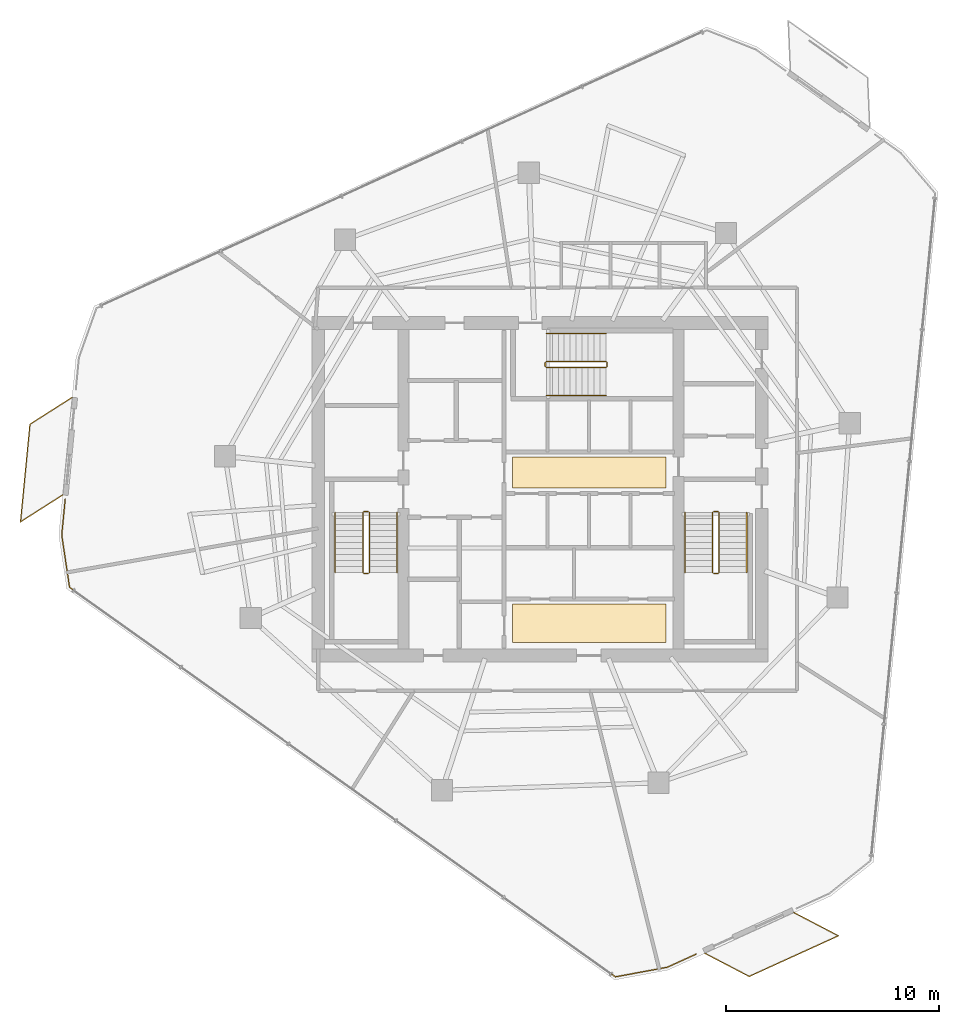
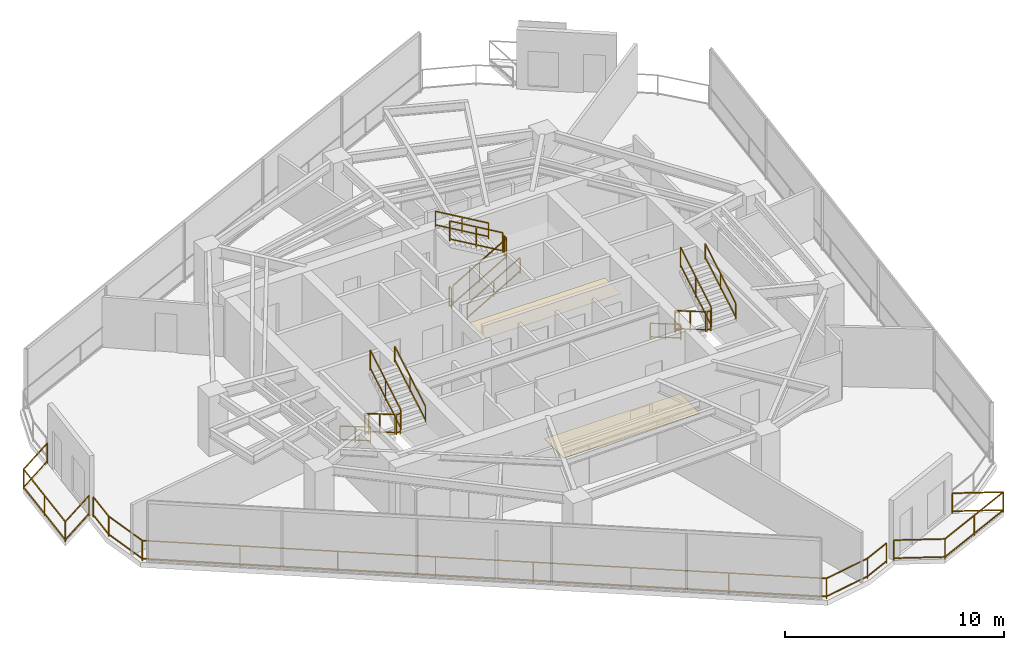
# One storey, part 20 of 21: 21 railings, 2 coverings.
"""IFC4 building model written with IfcOpenShell, lengths in metres."""

from ifc_helpers import new_model, si_unit, direction, frame, origin, origin_2d, place, context, subcontext, project, spatial, rectangle, extrude, material, layer, layer_set, type_object, element, save


model = new_model("IFC4")

# Units and contexts
model_context = context("Model", 3, precision=1e-05, world=origin(), true_north=direction((0.0, 1.0)))
body_context = subcontext(model_context, "Body", "Model", "MODEL_VIEW")
ifc_project = project(units=[si_unit("LENGTHUNIT", "METRE"), si_unit("AREAUNIT", "SQUARE_METRE"), si_unit("VOLUMEUNIT", "CUBIC_METRE"), si_unit("PLANEANGLEUNIT", "RADIAN"), si_unit("MASSUNIT", "GRAM", prefix="KILO")], contexts=[model_context])

# Site, building, storey
site_placement = place(None, origin())
site = spatial("IfcSite", under=ifc_project, at=site_placement, CompositionType="ELEMENT")
building_placement = place(site_placement, origin())
building = spatial("IfcBuilding", under=site, at=building_placement, Name="Qarnah Convention Tower", CompositionType="ELEMENT")
storey_placement = place(building_placement, frame((0.0, 0.0, 158.10009765625)))
storey = spatial("IfcBuildingStorey", under=building, at=storey_placement, Name="L42", CompositionType="ELEMENT", Elevation=158.10009765625)

# Coverings
ifc_material_1 = material(Name="Mineral fibre acoustic ceiling")
ifc_layer_1 = layer(ifc_material_1, 0.02001953125)
ifc_layer_set_1 = layer_set([ifc_layer_1], Name="Mineral fibre acoustic ceiling")
covering_type_1 = type_object("IfcCoveringType", Name="COV-CEIL-20", PredefinedType="CEILING", material=ifc_layer_set_1)
covering_1_placement = place(storey_placement, frame((39.52001953125, 27.179931640625, 2.289794921875), z_axis=(0.0, 0.0, 1.0), x_axis=(1.0, 0.0, 0.0)))
element("IfcCovering", 1, at=covering_1_placement, inside=storey, type_object=covering_type_1, Name="L42 lift lobby acoustic ceiling", PredefinedType="CEILING", context=body_context, shape_type="SweptSolid", body=[
    extrude(rectangle(XDim=7.199951171875, YDim=1.449951171875, at=origin_2d()), origin(), (0.0, 0.0, 1.0), 0.02001953125),
])
ifc_material_2 = material(Name="Porcelain stone floor tile", Category="masonry")
ifc_layer_2 = layer(ifc_material_2, 0.02001953125)
ifc_layer_set_2 = layer_set([ifc_layer_2], Name="Porcelain stone floor tile")
covering_type_2 = type_object("IfcCoveringType", Name="COV-FLOOR-20", PredefinedType="FLOORING", material=ifc_layer_set_2)
covering_2_placement = place(storey_placement, frame((39.52001953125, 20.1201171875, 0.0), z_axis=(0.0, 0.0, 1.0), x_axis=(1.0, 0.0, 0.0)))
element("IfcCovering", 2, at=covering_2_placement, inside=storey, type_object=covering_type_2, Name="L42 lift lobby porcelain stone flooring", PredefinedType="FLOORING", context=body_context, shape_type="SweptSolid", body=[
    extrude(rectangle(XDim=7.199951171875, YDim=1.800048828125, at=origin_2d()), origin(), (0.0, 0.0, 1.0), 0.02001953125),
])

# Railings
ifc_material_3 = material(Name="Black anodised aluminium", Category="aluminium")
railing_type_1 = type_object("IfcRailingType", Name="RL-EXT-GUARD-1150", PredefinedType="GUARDRAIL", material=ifc_material_3)
railing_1_placement = place(storey_placement, frame((44.527099609375, 4.596923828125, 0.0)))
element("IfcRailing", 3, at=railing_1_placement, inside=storey, type_object=railing_type_1, Name="L42 slab-edge perimeter safety guard 03", PredefinedType="GUARDRAIL", context=body_context, shape_type="SweptSolid", body=[
    extrude(rectangle(XDim=0.048095703125, YDim=0.048095703125, at=origin_2d()), frame((0.0, 0.0, 1.1259765625), z_axis=(-0.910355260524, -0.413827620677, 0.0), x_axis=(0.413827620677, -0.910355260524, 0.0)), (0.0, 0.0, 1.0), 1.49072265625),
    extrude(rectangle(XDim=0.048095703125, YDim=0.048095703125, at=origin_2d()), frame((0.0, 0.0, 0.1201171875), z_axis=(-0.910355260524, -0.413827620677, 0.0), x_axis=(0.413827620677, -0.910355260524, 0.0)), (0.0, 0.0, 1.0), 1.49072265625),
    extrude(rectangle(XDim=0.048095703125, YDim=0.048095703125, at=origin_2d()), frame((-1.357177734375, -0.616943359375, 1.1259765625), z_axis=(-0.983271517286, -0.182145884648, 0.0), x_axis=(0.182145884648, -0.983271517286, 0.0)), (0.0, 0.0, 1.0), 2.47021484375),
    extrude(rectangle(XDim=0.048095703125, YDim=0.048095703125, at=origin_2d()), frame((-1.357177734375, -0.616943359375, 0.1201171875), z_axis=(-0.983271517286, -0.182145884648, 0.0), x_axis=(0.182145884648, -0.983271517286, 0.0)), (0.0, 0.0, 1.0), 2.47021484375),
    extrude(rectangle(XDim=0.048095703125, YDim=0.048095703125, at=origin_2d()), frame((-3.7861328125, -1.06689453125, 1.1259765625), z_axis=(-0.813903347411, 0.581000293522, 0.0), x_axis=(-0.581000293522, -0.813903347411, 0.0)), (0.0, 0.0, 1.0), 31.455810546875),
    extrude(rectangle(XDim=0.048095703125, YDim=0.048095703125, at=origin_2d()), frame((-3.7861328125, -1.06689453125, 0.1201171875), z_axis=(-0.813903347411, 0.581000293522, 0.0), x_axis=(-0.581000293522, -0.813903347411, 0.0)), (0.0, 0.0, 1.0), 31.455810546875),
    extrude(rectangle(XDim=0.048095703125, YDim=0.048095703125, at=origin_2d()), frame((-29.38818359375, 17.208984375, 1.1259765625), z_axis=(-0.14775564372, 0.989023897461, 0.0), x_axis=(-0.989023897461, -0.14775564372, 0.0)), (0.0, 0.0, 1.0), 2.47021484375),
    extrude(rectangle(XDim=0.048095703125, YDim=0.048095703125, at=origin_2d()), frame((-29.38818359375, 17.208984375, 0.1201171875), z_axis=(-0.14775564372, 0.989023897461, 0.0), x_axis=(-0.989023897461, -0.14775564372, 0.0)), (0.0, 0.0, 1.0), 2.47021484375),
    extrude(rectangle(XDim=0.048095703125, YDim=0.048095703125, at=origin_2d()), frame((-29.753173828125, 19.652099609375, 1.1259765625), z_axis=(0.096392958016, 0.995343356659, 0.0), x_axis=(-0.995343356659, 0.096392958016, 0.0)), (0.0, 0.0, 1.0), 1.701904296875),
    extrude(rectangle(XDim=0.048095703125, YDim=0.048095703125, at=origin_2d()), frame((-29.753173828125, 19.652099609375, 0.1201171875), z_axis=(0.096392958016, 0.995343356659, 0.0), x_axis=(-0.995343356659, 0.096392958016, 0.0)), (0.0, 0.0, 1.0), 1.701904296875),
    extrude(rectangle(XDim=0.0419921875, YDim=0.0419921875, at=origin_2d()), origin(), (0.0, 0.0, 1.0), 1.101806640625),
    extrude(rectangle(XDim=0.0419921875, YDim=0.0419921875, at=origin_2d()), frame((-1.357177734375, -0.616943359375, 0.0)), (0.0, 0.0, 1.0), 1.101806640625),
    extrude(rectangle(XDim=0.0419921875, YDim=0.0419921875, at=origin_2d()), frame((-3.7861328125, -1.06689453125, 0.0)), (0.0, 0.0, 1.0), 1.101806640625),
    extrude(rectangle(XDim=0.0419921875, YDim=0.0419921875, at=origin_2d()), frame((-7.443603515625, 1.5439453125, 0.0)), (0.0, 0.0, 1.0), 1.101806640625),
    extrude(rectangle(XDim=0.0419921875, YDim=0.0419921875, at=origin_2d()), frame((-11.10107421875, 4.15478515625, 0.0)), (0.0, 0.0, 1.0), 1.101806640625),
    extrude(rectangle(XDim=0.0419921875, YDim=0.0419921875, at=origin_2d()), frame((-14.758544921875, 6.765625, 0.0)), (0.0, 0.0, 1.0), 1.101806640625),
    extrude(rectangle(XDim=0.0419921875, YDim=0.0419921875, at=origin_2d()), frame((-18.415771484375, 9.37646484375, 0.0)), (0.0, 0.0, 1.0), 1.101806640625),
    extrude(rectangle(XDim=0.0419921875, YDim=0.0419921875, at=origin_2d()), frame((-22.0732421875, 11.9873046875, 0.0)), (0.0, 0.0, 1.0), 1.101806640625),
    extrude(rectangle(XDim=0.0419921875, YDim=0.0419921875, at=origin_2d()), frame((-25.730712890625, 14.59814453125, 0.0)), (0.0, 0.0, 1.0), 1.101806640625),
    extrude(rectangle(XDim=0.0419921875, YDim=0.0419921875, at=origin_2d()), frame((-29.38818359375, 17.208984375, 0.0)), (0.0, 0.0, 1.0), 1.101806640625),
    extrude(rectangle(XDim=0.0419921875, YDim=0.0419921875, at=origin_2d()), frame((-29.753173828125, 19.652099609375, 0.0)), (0.0, 0.0, 1.0), 1.101806640625),
    extrude(rectangle(XDim=0.0419921875, YDim=0.0419921875, at=origin_2d()), frame((-29.589111328125, 21.34619140625, 0.0)), (0.0, 0.0, 1.0), 1.101806640625),
])
railing_2_placement = place(storey_placement, frame((14.821044921875, 26.12890625, 0.0)))
element("IfcRailing", 4, at=railing_2_placement, inside=storey, type_object=railing_type_1, Name="L42 balcony safety guard BAL-L42-C2", PredefinedType="GUARDRAIL", context=body_context, shape_type="SweptSolid", body=[
    extrude(rectangle(XDim=0.048095703125, YDim=0.048095703125, at=origin_2d()), frame((0.0, 0.0, 1.1259765625), z_axis=(-0.843588703041, -0.536989851024, 0.0), x_axis=(0.536989851024, -0.843588703041, 0.0)), (0.0, 0.0, 1.0), 2.34814453125),
    extrude(rectangle(XDim=0.048095703125, YDim=0.048095703125, at=origin_2d()), frame((0.0, 0.0, 0.1201171875), z_axis=(-0.843588703041, -0.536989851024, 0.0), x_axis=(0.536989851024, -0.843588703041, 0.0)), (0.0, 0.0, 1.0), 2.34814453125),
    extrude(rectangle(XDim=0.048095703125, YDim=0.048095703125, at=origin_2d()), frame((-1.98095703125, -1.260986328125, 1.1259765625), z_axis=(0.096266530413, 0.9953555923, 0.0), x_axis=(-0.9953555923, 0.096266530413, 0.0)), (0.0, 0.0, 1.0), 4.6005859375),
    extrude(rectangle(XDim=0.048095703125, YDim=0.048095703125, at=origin_2d()), frame((-1.98095703125, -1.260986328125, 0.1201171875), z_axis=(0.096266530413, 0.9953555923, 0.0), x_axis=(-0.9953555923, 0.096266530413, 0.0)), (0.0, 0.0, 1.0), 4.6005859375),
    extrude(rectangle(XDim=0.048095703125, YDim=0.048095703125, at=origin_2d()), frame((-1.5380859375, 3.318115234375, 1.1259765625), z_axis=(0.843468720936, 0.537178291447, 0.0), x_axis=(-0.537178291447, 0.843468720936, 0.0)), (0.0, 0.0, 1.0), 2.347412109375),
    extrude(rectangle(XDim=0.048095703125, YDim=0.048095703125, at=origin_2d()), frame((-1.5380859375, 3.318115234375, 0.1201171875), z_axis=(0.843468720936, 0.537178291447, 0.0), x_axis=(-0.537178291447, 0.843468720936, 0.0)), (0.0, 0.0, 1.0), 2.347412109375),
    extrude(rectangle(XDim=0.0419921875, YDim=0.0419921875, at=origin_2d()), origin(), (0.0, 0.0, 1.0), 1.101806640625),
    extrude(rectangle(XDim=0.0419921875, YDim=0.0419921875, at=origin_2d()), frame((-1.98095703125, -1.260986328125, 0.0)), (0.0, 0.0, 1.0), 1.101806640625),
    extrude(rectangle(XDim=0.0419921875, YDim=0.0419921875, at=origin_2d()), frame((-1.759521484375, 1.028564453125, 0.0)), (0.0, 0.0, 1.0), 1.101806640625),
    extrude(rectangle(XDim=0.0419921875, YDim=0.0419921875, at=origin_2d()), frame((-1.5380859375, 3.318115234375, 0.0)), (0.0, 0.0, 1.0), 1.101806640625),
    extrude(rectangle(XDim=0.0419921875, YDim=0.0419921875, at=origin_2d()), frame((0.44189453125, 4.5791015625, 0.0)), (0.0, 0.0, 1.0), 1.101806640625),
])
railing_3_placement = place(storey_placement, frame((49.1201171875, 6.5400390625, 0.0)))
element("IfcRailing", 5, at=railing_3_placement, inside=storey, type_object=railing_type_1, Name="L42 balcony safety guard BAL-L42-C3", PredefinedType="GUARDRAIL", context=body_context, shape_type="SweptSolid", body=[
    extrude(rectangle(XDim=0.048095703125, YDim=0.048095703125, at=origin_2d()), frame((0.0, 0.0, 1.1259765625), z_axis=(0.886792444094, -0.462167892759, 0.0), x_axis=(0.462167892759, 0.886792444094, 0.0)), (0.0, 0.0, 1.0), 2.34765625),
    extrude(rectangle(XDim=0.048095703125, YDim=0.048095703125, at=origin_2d()), frame((0.0, 0.0, 0.1201171875), z_axis=(0.886792444094, -0.462167892759, 0.0), x_axis=(0.462167892759, 0.886792444094, 0.0)), (0.0, 0.0, 1.0), 2.34765625),
    extrude(rectangle(XDim=0.048095703125, YDim=0.048095703125, at=origin_2d()), frame((2.081787109375, -1.0849609375, 1.1259765625), z_axis=(-0.91013552149, -0.414310671503, 0.0), x_axis=(0.414310671503, -0.91013552149, 0.0)), (0.0, 0.0, 1.0), 4.600341796875),
    extrude(rectangle(XDim=0.048095703125, YDim=0.048095703125, at=origin_2d()), frame((2.081787109375, -1.0849609375, 0.1201171875), z_axis=(-0.91013552149, -0.414310671503, 0.0), x_axis=(0.414310671503, -0.91013552149, 0.0)), (0.0, 0.0, 1.0), 4.600341796875),
    extrude(rectangle(XDim=0.048095703125, YDim=0.048095703125, at=origin_2d()), frame((-2.105224609375, -2.990966796875, 1.1259765625), z_axis=(-0.886792444094, 0.462167892759, 0.0), x_axis=(-0.462167892759, -0.886792444094, 0.0)), (0.0, 0.0, 1.0), 2.34765625),
    extrude(rectangle(XDim=0.048095703125, YDim=0.048095703125, at=origin_2d()), frame((-2.105224609375, -2.990966796875, 0.1201171875), z_axis=(-0.886792444094, 0.462167892759, 0.0), x_axis=(-0.462167892759, -0.886792444094, 0.0)), (0.0, 0.0, 1.0), 2.34765625),
    extrude(rectangle(XDim=0.0419921875, YDim=0.0419921875, at=origin_2d()), origin(), (0.0, 0.0, 1.0), 1.101806640625),
    extrude(rectangle(XDim=0.0419921875, YDim=0.0419921875, at=origin_2d()), frame((2.081787109375, -1.0849609375, 0.0)), (0.0, 0.0, 1.0), 1.101806640625),
    extrude(rectangle(XDim=0.0419921875, YDim=0.0419921875, at=origin_2d()), frame((-0.01171875, -2.0380859375, 0.0)), (0.0, 0.0, 1.0), 1.101806640625),
    extrude(rectangle(XDim=0.0419921875, YDim=0.0419921875, at=origin_2d()), frame((-2.105224609375, -2.990966796875, 0.0)), (0.0, 0.0, 1.0), 1.101806640625),
    extrude(rectangle(XDim=0.0419921875, YDim=0.0419921875, at=origin_2d()), frame((-4.18701171875, -1.906005859375, 0.0)), (0.0, 0.0, 1.0), 1.101806640625),
])
ifc_material_4 = material(Name="Structural steel S355JR", Category="steel")
railing_type_2 = type_object("IfcRailingType", Name="RL-STAIR-GUARD-1150", PredefinedType="GUARDRAIL", material=ifc_material_4)
railing_4_placement = place(storey_placement, frame((28.89990234375, 25.300048828125, 0.16357421875)))
element("IfcRailing", 6, at=railing_4_placement, inside=storey, type_object=railing_type_2, Name="L42 ST-1 stair guard 1", PredefinedType="GUARDRAIL", context=body_context, shape_type="SweptSolid", body=[
    extrude(rectangle(XDim=0.048095703125, YDim=0.048095703125, at=origin_2d()), frame((0.0, 0.0, 1.1259765625), z_axis=(0.0, -0.863393664356, 0.504530851732), x_axis=(1.0, 0.0, 0.0)), (0.0, 0.0, 1.0), 3.2431640625),
    extrude(rectangle(XDim=0.048095703125, YDim=0.048095703125, at=origin_2d()), frame((0.0, 0.0, 0.1201171875), z_axis=(0.0, -0.863393664356, 0.504530851732), x_axis=(1.0, 0.0, 0.0)), (0.0, 0.0, 1.0), 3.2431640625),
    extrude(rectangle(XDim=0.0419921875, YDim=0.0419921875, at=origin_2d()), origin(), (0.0, 0.0, 1.0), 1.101806640625),
    extrude(rectangle(XDim=0.0419921875, YDim=0.0419921875, at=origin_2d()), frame((0.0, -1.39990234375, 0.818115234375)), (0.0, 0.0, 1.0), 1.101806640625),
    extrude(rectangle(XDim=0.0419921875, YDim=0.0419921875, at=origin_2d()), frame((0.0, -2.800048828125, 1.63623046875)), (0.0, 0.0, 1.0), 1.101806640625),
])
railing_5_placement = place(storey_placement, frame((28.949951171875, 22.449951171875, 1.7998046875)))
element("IfcRailing", 7, at=railing_5_placement, inside=storey, type_object=railing_type_2, Name="L42 ST-1 stair guard 2", PredefinedType="GUARDRAIL", context=body_context, shape_type="SweptSolid", body=[
    extrude(rectangle(XDim=0.048095703125, YDim=0.048095703125, at=origin_2d()), frame((0.0, 0.0, 1.1259765625), z_axis=(1.0, 0.0, 0.0), x_axis=(0.0, 1.0, 0.0)), (0.0, 0.0, 1.0), 0.199951171875),
    extrude(rectangle(XDim=0.048095703125, YDim=0.048095703125, at=origin_2d()), frame((0.0, 0.0, 0.1201171875), z_axis=(1.0, 0.0, 0.0), x_axis=(0.0, 1.0, 0.0)), (0.0, 0.0, 1.0), 0.199951171875),
    extrude(rectangle(XDim=0.0419921875, YDim=0.0419921875, at=origin_2d()), origin(), (0.0, 0.0, 1.0), 1.101806640625),
    extrude(rectangle(XDim=0.0419921875, YDim=0.0419921875, at=origin_2d()), frame((0.199951171875, 0.0, 0.0)), (0.0, 0.0, 1.0), 1.101806640625),
])
railing_6_placement = place(storey_placement, frame((29.199951171875, 22.5, 1.963623046875)))
element("IfcRailing", 8, at=railing_6_placement, inside=storey, type_object=railing_type_2, Name="L42 ST-1 stair guard 3", PredefinedType="GUARDRAIL", context=body_context, shape_type="SweptSolid", body=[
    extrude(rectangle(XDim=0.048095703125, YDim=0.048095703125, at=origin_2d()), frame((0.0, 0.0, 1.1259765625), z_axis=(0.0, 0.863393664356, 0.504530851732), x_axis=(-1.0, 0.0, 0.0)), (0.0, 0.0, 1.0), 3.2431640625),
    extrude(rectangle(XDim=0.048095703125, YDim=0.048095703125, at=origin_2d()), frame((0.0, 0.0, 0.1201171875), z_axis=(0.0, 0.863393664356, 0.504530851732), x_axis=(-1.0, 0.0, 0.0)), (0.0, 0.0, 1.0), 3.2431640625),
    extrude(rectangle(XDim=0.0419921875, YDim=0.0419921875, at=origin_2d()), origin(), (0.0, 0.0, 1.0), 1.101806640625),
    extrude(rectangle(XDim=0.0419921875, YDim=0.0419921875, at=origin_2d()), frame((0.0, 1.39990234375, 0.818115234375)), (0.0, 0.0, 1.0), 1.101806640625),
    extrude(rectangle(XDim=0.0419921875, YDim=0.0419921875, at=origin_2d()), frame((0.0, 2.800048828125, 1.63623046875)), (0.0, 0.0, 1.0), 1.101806640625),
])
railing_7_placement = place(storey_placement, frame((28.949951171875, 25.35009765625, 0.0)))
element("IfcRailing", 9, at=railing_7_placement, inside=storey, type_object=railing_type_2, Name="L42 ST-1 stair guard 4", PredefinedType="GUARDRAIL", context=body_context, shape_type="SweptSolid", body=[
    extrude(rectangle(XDim=0.048095703125, YDim=0.048095703125, at=origin_2d()), frame((0.0, 0.0, 1.1259765625), z_axis=(1.0, 0.0, 0.0), x_axis=(0.0, 1.0, 0.0)), (0.0, 0.0, 1.0), 0.199951171875),
    extrude(rectangle(XDim=0.048095703125, YDim=0.048095703125, at=origin_2d()), frame((0.0, 0.0, 0.1201171875), z_axis=(1.0, 0.0, 0.0), x_axis=(0.0, 1.0, 0.0)), (0.0, 0.0, 1.0), 0.199951171875),
    extrude(rectangle(XDim=0.0419921875, YDim=0.0419921875, at=origin_2d()), origin(), (0.0, 0.0, 1.0), 1.101806640625),
    extrude(rectangle(XDim=0.0419921875, YDim=0.0419921875, at=origin_2d()), frame((0.199951171875, 0.0, 0.0)), (0.0, 0.0, 1.0), 1.101806640625),
])
railing_8_placement = place(storey_placement, frame((45.300048828125, 25.300048828125, 0.16357421875)))
element("IfcRailing", 10, at=railing_8_placement, inside=storey, type_object=railing_type_2, Name="L42 ST-2 stair guard 1", PredefinedType="GUARDRAIL", context=body_context, shape_type="SweptSolid", body=[
    extrude(rectangle(XDim=0.048095703125, YDim=0.048095703125, at=origin_2d()), frame((0.0, 0.0, 1.1259765625), z_axis=(0.0, -0.863393664356, 0.504530851732), x_axis=(1.0, 0.0, 0.0)), (0.0, 0.0, 1.0), 3.2431640625),
    extrude(rectangle(XDim=0.048095703125, YDim=0.048095703125, at=origin_2d()), frame((0.0, 0.0, 0.1201171875), z_axis=(0.0, -0.863393664356, 0.504530851732), x_axis=(1.0, 0.0, 0.0)), (0.0, 0.0, 1.0), 3.2431640625),
    extrude(rectangle(XDim=0.0419921875, YDim=0.0419921875, at=origin_2d()), origin(), (0.0, 0.0, 1.0), 1.101806640625),
    extrude(rectangle(XDim=0.0419921875, YDim=0.0419921875, at=origin_2d()), frame((0.0, -1.39990234375, 0.818115234375)), (0.0, 0.0, 1.0), 1.101806640625),
    extrude(rectangle(XDim=0.0419921875, YDim=0.0419921875, at=origin_2d()), frame((0.0, -2.800048828125, 1.63623046875)), (0.0, 0.0, 1.0), 1.101806640625),
])
railing_9_placement = place(storey_placement, frame((45.35009765625, 22.449951171875, 1.7998046875)))
element("IfcRailing", 11, at=railing_9_placement, inside=storey, type_object=railing_type_2, Name="L42 ST-2 stair guard 2", PredefinedType="GUARDRAIL", context=body_context, shape_type="SweptSolid", body=[
    extrude(rectangle(XDim=0.048095703125, YDim=0.048095703125, at=origin_2d()), frame((0.0, 0.0, 1.1259765625), z_axis=(1.0, 0.0, 0.0), x_axis=(0.0, 1.0, 0.0)), (0.0, 0.0, 1.0), 0.199951171875),
    extrude(rectangle(XDim=0.048095703125, YDim=0.048095703125, at=origin_2d()), frame((0.0, 0.0, 0.1201171875), z_axis=(1.0, 0.0, 0.0), x_axis=(0.0, 1.0, 0.0)), (0.0, 0.0, 1.0), 0.199951171875),
    extrude(rectangle(XDim=0.0419921875, YDim=0.0419921875, at=origin_2d()), origin(), (0.0, 0.0, 1.0), 1.101806640625),
    extrude(rectangle(XDim=0.0419921875, YDim=0.0419921875, at=origin_2d()), frame((0.199951171875, 0.0, 0.0)), (0.0, 0.0, 1.0), 1.101806640625),
])
railing_10_placement = place(storey_placement, frame((45.60009765625, 22.5, 1.963623046875)))
element("IfcRailing", 12, at=railing_10_placement, inside=storey, type_object=railing_type_2, Name="L42 ST-2 stair guard 3", PredefinedType="GUARDRAIL", context=body_context, shape_type="SweptSolid", body=[
    extrude(rectangle(XDim=0.048095703125, YDim=0.048095703125, at=origin_2d()), frame((0.0, 0.0, 1.1259765625), z_axis=(0.0, 0.863393664356, 0.504530851732), x_axis=(-1.0, 0.0, 0.0)), (0.0, 0.0, 1.0), 3.2431640625),
    extrude(rectangle(XDim=0.048095703125, YDim=0.048095703125, at=origin_2d()), frame((0.0, 0.0, 0.1201171875), z_axis=(0.0, 0.863393664356, 0.504530851732), x_axis=(-1.0, 0.0, 0.0)), (0.0, 0.0, 1.0), 3.2431640625),
    extrude(rectangle(XDim=0.0419921875, YDim=0.0419921875, at=origin_2d()), origin(), (0.0, 0.0, 1.0), 1.101806640625),
    extrude(rectangle(XDim=0.0419921875, YDim=0.0419921875, at=origin_2d()), frame((0.0, 1.39990234375, 0.818115234375)), (0.0, 0.0, 1.0), 1.101806640625),
    extrude(rectangle(XDim=0.0419921875, YDim=0.0419921875, at=origin_2d()), frame((0.0, 2.800048828125, 1.63623046875)), (0.0, 0.0, 1.0), 1.101806640625),
])
railing_11_placement = place(storey_placement, frame((45.35009765625, 25.35009765625, 0.0)))
element("IfcRailing", 13, at=railing_11_placement, inside=storey, type_object=railing_type_2, Name="L42 ST-2 stair guard 4", PredefinedType="GUARDRAIL", context=body_context, shape_type="SweptSolid", body=[
    extrude(rectangle(XDim=0.048095703125, YDim=0.048095703125, at=origin_2d()), frame((0.0, 0.0, 1.1259765625), z_axis=(1.0, 0.0, 0.0), x_axis=(0.0, 1.0, 0.0)), (0.0, 0.0, 1.0), 0.199951171875),
    extrude(rectangle(XDim=0.048095703125, YDim=0.048095703125, at=origin_2d()), frame((0.0, 0.0, 0.1201171875), z_axis=(1.0, 0.0, 0.0), x_axis=(0.0, 1.0, 0.0)), (0.0, 0.0, 1.0), 0.199951171875),
    extrude(rectangle(XDim=0.0419921875, YDim=0.0419921875, at=origin_2d()), origin(), (0.0, 0.0, 1.0), 1.101806640625),
    extrude(rectangle(XDim=0.0419921875, YDim=0.0419921875, at=origin_2d()), frame((0.199951171875, 0.0, 0.0)), (0.0, 0.0, 1.0), 1.101806640625),
])
railing_12_placement = place(storey_placement, frame((37.5, 32.10009765625, 0.16357421875)))
element("IfcRailing", 14, at=railing_12_placement, inside=storey, type_object=railing_type_2, Name="L42 ST-3 stair guard 1", PredefinedType="GUARDRAIL", context=body_context, shape_type="SweptSolid", body=[
    extrude(rectangle(XDim=0.048095703125, YDim=0.048095703125, at=origin_2d()), frame((0.0, 0.0, 1.1259765625), z_axis=(0.863393664356, 0.0, 0.504530851732), x_axis=(0.0, 1.0, 0.0)), (0.0, 0.0, 1.0), 3.2431640625),
    extrude(rectangle(XDim=0.048095703125, YDim=0.048095703125, at=origin_2d()), frame((0.0, 0.0, 0.1201171875), z_axis=(0.863393664356, 0.0, 0.504530851732), x_axis=(0.0, 1.0, 0.0)), (0.0, 0.0, 1.0), 3.2431640625),
    extrude(rectangle(XDim=0.0419921875, YDim=0.0419921875, at=origin_2d()), origin(), (0.0, 0.0, 1.0), 1.101806640625),
    extrude(rectangle(XDim=0.0419921875, YDim=0.0419921875, at=origin_2d()), frame((1.39990234375, 0.0, 0.818115234375)), (0.0, 0.0, 1.0), 1.101806640625),
    extrude(rectangle(XDim=0.0419921875, YDim=0.0419921875, at=origin_2d()), frame((2.800048828125, 0.0, 1.63623046875)), (0.0, 0.0, 1.0), 1.101806640625),
])
railing_13_placement = place(storey_placement, frame((40.35009765625, 32.14990234375, 1.7998046875)))
element("IfcRailing", 15, at=railing_13_placement, inside=storey, type_object=railing_type_2, Name="L42 ST-3 stair guard 2", PredefinedType="GUARDRAIL", context=body_context, shape_type="SweptSolid", body=[
    extrude(rectangle(XDim=0.048095703125, YDim=0.048095703125, at=origin_2d()), frame((0.0, 0.0, 1.1259765625), z_axis=(0.0, 1.0, 0.0), x_axis=(-1.0, 0.0, 0.0)), (0.0, 0.0, 1.0), 0.2001953125),
    extrude(rectangle(XDim=0.048095703125, YDim=0.048095703125, at=origin_2d()), frame((0.0, 0.0, 0.1201171875), z_axis=(0.0, 1.0, 0.0), x_axis=(-1.0, 0.0, 0.0)), (0.0, 0.0, 1.0), 0.2001953125),
    extrude(rectangle(XDim=0.0419921875, YDim=0.0419921875, at=origin_2d()), origin(), (0.0, 0.0, 1.0), 1.101806640625),
    extrude(rectangle(XDim=0.0419921875, YDim=0.0419921875, at=origin_2d()), frame((0.0, 0.2001953125, 0.0)), (0.0, 0.0, 1.0), 1.101806640625),
])
railing_14_placement = place(storey_placement, frame((40.300048828125, 32.39990234375, 1.963623046875)))
element("IfcRailing", 16, at=railing_14_placement, inside=storey, type_object=railing_type_2, Name="L42 ST-3 stair guard 3", PredefinedType="GUARDRAIL", context=body_context, shape_type="SweptSolid", body=[
    extrude(rectangle(XDim=0.048095703125, YDim=0.048095703125, at=origin_2d()), frame((0.0, 0.0, 1.1259765625), z_axis=(-0.863393664356, 0.0, 0.504530851732), x_axis=(0.0, -1.0, 0.0)), (0.0, 0.0, 1.0), 3.2431640625),
    extrude(rectangle(XDim=0.048095703125, YDim=0.048095703125, at=origin_2d()), frame((0.0, 0.0, 0.1201171875), z_axis=(-0.863393664356, 0.0, 0.504530851732), x_axis=(0.0, -1.0, 0.0)), (0.0, 0.0, 1.0), 3.2431640625),
    extrude(rectangle(XDim=0.0419921875, YDim=0.0419921875, at=origin_2d()), origin(), (0.0, 0.0, 1.0), 1.101806640625),
    extrude(rectangle(XDim=0.0419921875, YDim=0.0419921875, at=origin_2d()), frame((-1.39990234375, 0.0, 0.818115234375)), (0.0, 0.0, 1.0), 1.101806640625),
    extrude(rectangle(XDim=0.0419921875, YDim=0.0419921875, at=origin_2d()), frame((-2.800048828125, 0.0, 1.63623046875)), (0.0, 0.0, 1.0), 1.101806640625),
])
railing_15_placement = place(storey_placement, frame((37.449951171875, 32.14990234375, 0.0)))
element("IfcRailing", 17, at=railing_15_placement, inside=storey, type_object=railing_type_2, Name="L42 ST-3 stair guard 4", PredefinedType="GUARDRAIL", context=body_context, shape_type="SweptSolid", body=[
    extrude(rectangle(XDim=0.048095703125, YDim=0.048095703125, at=origin_2d()), frame((0.0, 0.0, 1.1259765625), z_axis=(0.0, 1.0, 0.0), x_axis=(-1.0, 0.0, 0.0)), (0.0, 0.0, 1.0), 0.2001953125),
    extrude(rectangle(XDim=0.048095703125, YDim=0.048095703125, at=origin_2d()), frame((0.0, 0.0, 0.1201171875), z_axis=(0.0, 1.0, 0.0), x_axis=(-1.0, 0.0, 0.0)), (0.0, 0.0, 1.0), 0.2001953125),
    extrude(rectangle(XDim=0.0419921875, YDim=0.0419921875, at=origin_2d()), origin(), (0.0, 0.0, 1.0), 1.101806640625),
    extrude(rectangle(XDim=0.0419921875, YDim=0.0419921875, at=origin_2d()), frame((0.0, 0.2001953125, 0.0)), (0.0, 0.0, 1.0), 1.101806640625),
])
railing_type_3 = type_object("IfcRailingType", Name="RL-STAIR-HAND-900", PredefinedType="HANDRAIL", material=ifc_material_4)
railing_16_placement = place(storey_placement, frame((27.60009765625, 25.300048828125, 0.16357421875)))
element("IfcRailing", 18, at=railing_16_placement, inside=storey, type_object=railing_type_3, Name="L42 ST-1 stair handrail 1", PredefinedType="HANDRAIL", context=body_context, shape_type="SweptSolid", body=[
    extrude(rectangle(XDim=0.048095703125, YDim=0.048095703125, at=origin_2d()), frame((0.0, 0.0, 0.8759765625), z_axis=(0.0, -0.863393664356, 0.504530851732), x_axis=(1.0, 0.0, 0.0)), (0.0, 0.0, 1.0), 3.2431640625),
    extrude(rectangle(XDim=0.048095703125, YDim=0.048095703125, at=origin_2d()), frame((0.0, 0.0, 0.1201171875), z_axis=(0.0, -0.863393664356, 0.504530851732), x_axis=(1.0, 0.0, 0.0)), (0.0, 0.0, 1.0), 3.2431640625),
    extrude(rectangle(XDim=0.0419921875, YDim=0.0419921875, at=origin_2d()), origin(), (0.0, 0.0, 1.0), 0.851806640625),
    extrude(rectangle(XDim=0.0419921875, YDim=0.0419921875, at=origin_2d()), frame((0.0, -1.39990234375, 0.818115234375)), (0.0, 0.0, 1.0), 0.851806640625),
    extrude(rectangle(XDim=0.0419921875, YDim=0.0419921875, at=origin_2d()), frame((0.0, -2.800048828125, 1.63623046875)), (0.0, 0.0, 1.0), 0.851806640625),
])
railing_17_placement = place(storey_placement, frame((30.5, 22.5, 1.963623046875)))
element("IfcRailing", 19, at=railing_17_placement, inside=storey, type_object=railing_type_3, Name="L42 ST-1 stair handrail 2", PredefinedType="HANDRAIL", context=body_context, shape_type="SweptSolid", body=[
    extrude(rectangle(XDim=0.048095703125, YDim=0.048095703125, at=origin_2d()), frame((0.0, 0.0, 0.8759765625), z_axis=(0.0, 0.863393664356, 0.504530851732), x_axis=(-1.0, 0.0, 0.0)), (0.0, 0.0, 1.0), 3.2431640625),
    extrude(rectangle(XDim=0.048095703125, YDim=0.048095703125, at=origin_2d()), frame((0.0, 0.0, 0.1201171875), z_axis=(0.0, 0.863393664356, 0.504530851732), x_axis=(-1.0, 0.0, 0.0)), (0.0, 0.0, 1.0), 3.2431640625),
    extrude(rectangle(XDim=0.0419921875, YDim=0.0419921875, at=origin_2d()), origin(), (0.0, 0.0, 1.0), 0.851806640625),
    extrude(rectangle(XDim=0.0419921875, YDim=0.0419921875, at=origin_2d()), frame((0.0, 1.39990234375, 0.818115234375)), (0.0, 0.0, 1.0), 0.851806640625),
    extrude(rectangle(XDim=0.0419921875, YDim=0.0419921875, at=origin_2d()), frame((0.0, 2.800048828125, 1.63623046875)), (0.0, 0.0, 1.0), 0.851806640625),
])
railing_18_placement = place(storey_placement, frame((44.0, 25.300048828125, 0.16357421875)))
element("IfcRailing", 20, at=railing_18_placement, inside=storey, type_object=railing_type_3, Name="L42 ST-2 stair handrail 1", PredefinedType="HANDRAIL", context=body_context, shape_type="SweptSolid", body=[
    extrude(rectangle(XDim=0.048095703125, YDim=0.048095703125, at=origin_2d()), frame((0.0, 0.0, 0.8759765625), z_axis=(0.0, -0.863393664356, 0.504530851732), x_axis=(1.0, 0.0, 0.0)), (0.0, 0.0, 1.0), 3.2431640625),
    extrude(rectangle(XDim=0.048095703125, YDim=0.048095703125, at=origin_2d()), frame((0.0, 0.0, 0.1201171875), z_axis=(0.0, -0.863393664356, 0.504530851732), x_axis=(1.0, 0.0, 0.0)), (0.0, 0.0, 1.0), 3.2431640625),
    extrude(rectangle(XDim=0.0419921875, YDim=0.0419921875, at=origin_2d()), origin(), (0.0, 0.0, 1.0), 0.851806640625),
    extrude(rectangle(XDim=0.0419921875, YDim=0.0419921875, at=origin_2d()), frame((0.0, -1.39990234375, 0.818115234375)), (0.0, 0.0, 1.0), 0.851806640625),
    extrude(rectangle(XDim=0.0419921875, YDim=0.0419921875, at=origin_2d()), frame((0.0, -2.800048828125, 1.63623046875)), (0.0, 0.0, 1.0), 0.851806640625),
])
railing_19_placement = place(storey_placement, frame((46.89990234375, 22.5, 1.963623046875)))
element("IfcRailing", 21, at=railing_19_placement, inside=storey, type_object=railing_type_3, Name="L42 ST-2 stair handrail 2", PredefinedType="HANDRAIL", context=body_context, shape_type="SweptSolid", body=[
    extrude(rectangle(XDim=0.048095703125, YDim=0.048095703125, at=origin_2d()), frame((0.0, 0.0, 0.8759765625), z_axis=(0.0, 0.863393664356, 0.504530851732), x_axis=(-1.0, 0.0, 0.0)), (0.0, 0.0, 1.0), 3.2431640625),
    extrude(rectangle(XDim=0.048095703125, YDim=0.048095703125, at=origin_2d()), frame((0.0, 0.0, 0.1201171875), z_axis=(0.0, 0.863393664356, 0.504530851732), x_axis=(-1.0, 0.0, 0.0)), (0.0, 0.0, 1.0), 3.2431640625),
    extrude(rectangle(XDim=0.0419921875, YDim=0.0419921875, at=origin_2d()), origin(), (0.0, 0.0, 1.0), 0.851806640625),
    extrude(rectangle(XDim=0.0419921875, YDim=0.0419921875, at=origin_2d()), frame((0.0, 1.39990234375, 0.818115234375)), (0.0, 0.0, 1.0), 0.851806640625),
    extrude(rectangle(XDim=0.0419921875, YDim=0.0419921875, at=origin_2d()), frame((0.0, 2.800048828125, 1.63623046875)), (0.0, 0.0, 1.0), 0.851806640625),
])
railing_20_placement = place(storey_placement, frame((37.5, 30.800048828125, 0.16357421875)))
element("IfcRailing", 22, at=railing_20_placement, inside=storey, type_object=railing_type_3, Name="L42 ST-3 stair handrail 1", PredefinedType="HANDRAIL", context=body_context, shape_type="SweptSolid", body=[
    extrude(rectangle(XDim=0.048095703125, YDim=0.048095703125, at=origin_2d()), frame((0.0, 0.0, 0.8759765625), z_axis=(0.863393664356, 0.0, 0.504530851732), x_axis=(0.0, 1.0, 0.0)), (0.0, 0.0, 1.0), 3.2431640625),
    extrude(rectangle(XDim=0.048095703125, YDim=0.048095703125, at=origin_2d()), frame((0.0, 0.0, 0.1201171875), z_axis=(0.863393664356, 0.0, 0.504530851732), x_axis=(0.0, 1.0, 0.0)), (0.0, 0.0, 1.0), 3.2431640625),
    extrude(rectangle(XDim=0.0419921875, YDim=0.0419921875, at=origin_2d()), origin(), (0.0, 0.0, 1.0), 0.851806640625),
    extrude(rectangle(XDim=0.0419921875, YDim=0.0419921875, at=origin_2d()), frame((1.39990234375, 0.0, 0.818115234375)), (0.0, 0.0, 1.0), 0.851806640625),
    extrude(rectangle(XDim=0.0419921875, YDim=0.0419921875, at=origin_2d()), frame((2.800048828125, 0.0, 1.63623046875)), (0.0, 0.0, 1.0), 0.851806640625),
])
railing_21_placement = place(storey_placement, frame((40.300048828125, 33.699951171875, 1.963623046875)))
element("IfcRailing", 23, at=railing_21_placement, inside=storey, type_object=railing_type_3, Name="L42 ST-3 stair handrail 2", PredefinedType="HANDRAIL", context=body_context, shape_type="SweptSolid", body=[
    extrude(rectangle(XDim=0.048095703125, YDim=0.048095703125, at=origin_2d()), frame((0.0, 0.0, 0.8759765625), z_axis=(-0.863393664356, 0.0, 0.504530851732), x_axis=(0.0, -1.0, 0.0)), (0.0, 0.0, 1.0), 3.2431640625),
    extrude(rectangle(XDim=0.048095703125, YDim=0.048095703125, at=origin_2d()), frame((0.0, 0.0, 0.1201171875), z_axis=(-0.863393664356, 0.0, 0.504530851732), x_axis=(0.0, -1.0, 0.0)), (0.0, 0.0, 1.0), 3.2431640625),
    extrude(rectangle(XDim=0.0419921875, YDim=0.0419921875, at=origin_2d()), origin(), (0.0, 0.0, 1.0), 0.851806640625),
    extrude(rectangle(XDim=0.0419921875, YDim=0.0419921875, at=origin_2d()), frame((-1.39990234375, 0.0, 0.818115234375)), (0.0, 0.0, 1.0), 0.851806640625),
    extrude(rectangle(XDim=0.0419921875, YDim=0.0419921875, at=origin_2d()), frame((-2.800048828125, 0.0, 1.63623046875)), (0.0, 0.0, 1.0), 0.851806640625),
])

save(model, "model.ifc")
